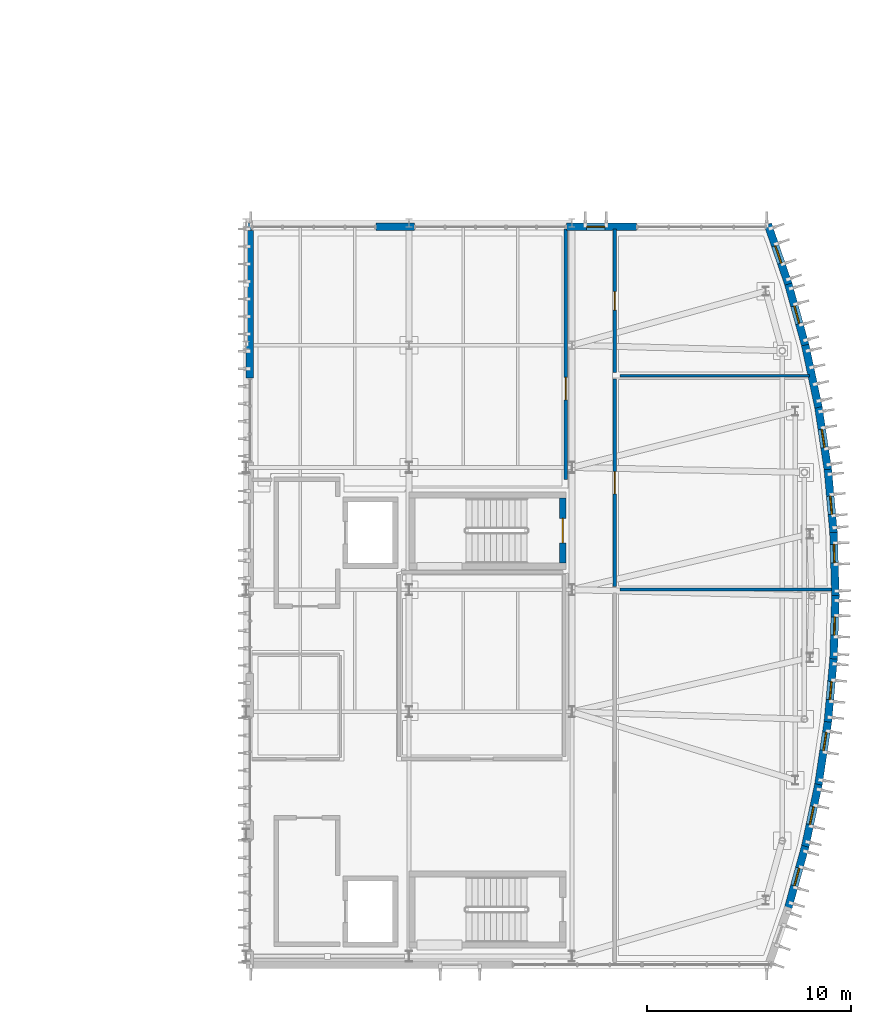
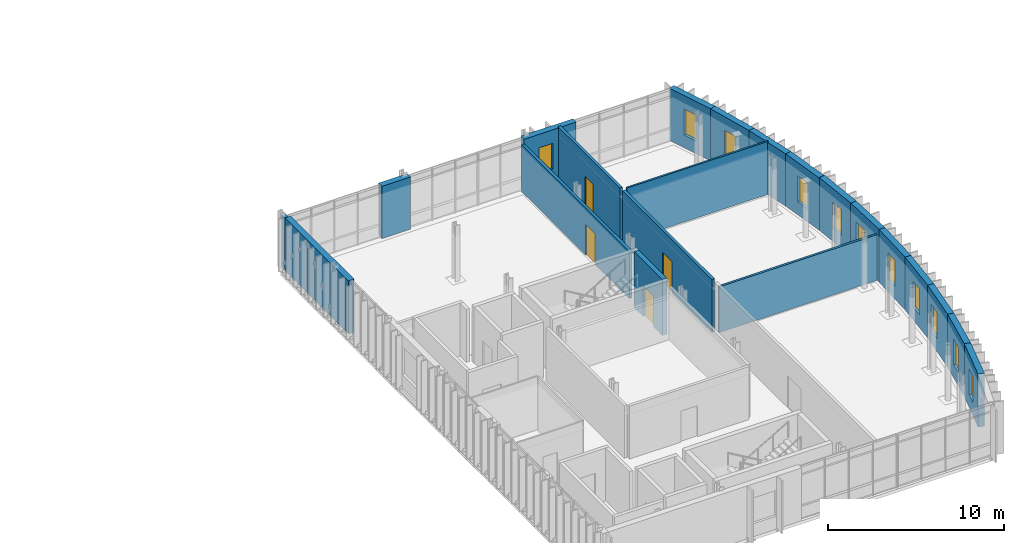
# One storey, part 29 of 43: 21 walls, 11 windows, 4 doors, 15 openings.
"""IFC4 building model written with IfcOpenShell, lengths in metres."""

from ifc_helpers import new_model, si_unit, direction, frame, frame_2d, origin, place, context, subcontext, project, spatial, rectangle, extrude, material, layer, layer_set, type_object, element, fill, save


model = new_model("IFC4")

# Units and contexts
model_context = context("Model", 3, precision=1e-05, world=origin(), true_north=direction((0.0, 1.0)))
body_context = subcontext(model_context, "Body", "Model", "MODEL_VIEW")
ifc_project = project(units=[si_unit("LENGTHUNIT", "METRE"), si_unit("AREAUNIT", "SQUARE_METRE"), si_unit("VOLUMEUNIT", "CUBIC_METRE"), si_unit("PLANEANGLEUNIT", "RADIAN"), si_unit("MASSUNIT", "GRAM", prefix="KILO")], contexts=[model_context])

# Site, building, storey
site_placement = place(None, origin())
site = spatial("IfcSite", under=ifc_project, at=site_placement, CompositionType="ELEMENT")
building_placement = place(site_placement, origin())
building = spatial("IfcBuilding", under=site, at=building_placement, Name="Cymarion Research Institute", CompositionType="ELEMENT")
storey_placement = place(building_placement, frame((0.0, 0.0, 22.800048828125)))
storey = spatial("IfcBuildingStorey", under=building, at=storey_placement, Name="L05", CompositionType="ELEMENT", Elevation=22.800048828125)

# Wall, opening, window
ifc_material_1 = material(Name="Precast concrete C40/50", Category="concrete")
ifc_layer_1 = layer(ifc_material_1, 0.3798828125)
ifc_layer_set_1 = layer_set([ifc_layer_1], Name="Precast concrete C40/50")
wall_type_1 = type_object("IfcWallType", Name="EXTERIOR WALL EW-PC380 380MM", PredefinedType="SOLIDWALL", material=ifc_layer_set_1)
wall_1_placement = place(storey_placement, frame((165.222412109375, 7.8876953125, 0.0), z_axis=(0.0, 0.0, 1.0), x_axis=(0.266536691105, 0.963824772609, 0.0)))
wall_1 = element("IfcWall", 1, at=wall_1_placement, inside=storey, type_object=wall_type_1, Name="L05 V1 exterior wall EW-PC380 #220", PredefinedType="SOLIDWALL", context=body_context, shape_type="SweptSolid", body=[
    extrude(rectangle(XDim=3.1279296875, YDim=0.3798828125, at=frame_2d((1.56396484375, 0.0))), origin(), (0.0, 0.0, 1.0), 3.679931640625),
])
opening_1_placement = place(wall_1_placement, frame((1.114013671875, 0.0, 0.89990234375)))
opening_1 = element("IfcOpeningElement", 2, at=opening_1_placement, cuts=wall_1, Name="Opening W24", PredefinedType="OPENING", context=body_context, shape_type="SweptSolid", body=[
    extrude(rectangle(XDim=0.89990234375, YDim=1.800048828125, at=frame_2d((0.449951171875, 0.89990234375))), frame((0.0, 0.199951171875, 0.0), z_axis=(0.0, -1.0, 0.0), x_axis=(1.0, 0.0, 0.0)), (0.0, 0.0, 1.0), 0.39990234375),
])
ifc_material_2 = material(Name="Thermally broken aluminium window with Low-E glazing", Category="aluminium")
window_type = type_object("IfcWindowType", Name="THERMALLY BROKEN ALUMINIUM WINDOW W24 900X1800", PartitioningType="SINGLE_PANEL", PredefinedType="WINDOW", material=ifc_material_2)
window_1_placement = place(opening_1_placement, origin())
window_1 = element("IfcWindow", 3, at=window_1_placement, inside=storey, type_object=window_type, Name="L05 V1 facade window W24 #407", OverallHeight=1.800048828125, OverallWidth=0.89990234375, PartitioningType="SINGLE_PANEL", PredefinedType="WINDOW", context=body_context, shape_type="SweptSolid", body=[
    extrude(rectangle(XDim=0.89990234375, YDim=1.800048828125, at=frame_2d((0.449951171875, 0.89990234375))), frame((0.0, 0.030029296875, 0.0), z_axis=(0.0, -1.0, 0.0), x_axis=(1.0, 0.0, 0.0)), (0.0, 0.0, 1.0), 0.06005859375),
])
fill(opening_1, window_1)

wall_2_placement = place(storey_placement, frame((166.05078125, 10.8798828125, 0.0), z_axis=(0.0, 0.0, 1.0), x_axis=(0.208287141705, 0.978067720866, 0.0)))
wall_2 = element("IfcWall", 4, at=wall_2_placement, inside=storey, type_object=wall_type_1, Name="L05 V1 exterior wall EW-PC380 #221", PredefinedType="SOLIDWALL", context=body_context, shape_type="SweptSolid", body=[
    extrude(rectangle(XDim=3.12841796875, YDim=0.3798828125, at=frame_2d((1.564208984375, 0.0))), origin(), (0.0, 0.0, 1.0), 3.679931640625),
])
opening_2_placement = place(wall_2_placement, frame((1.114013671875, 0.0, 0.89990234375)))
opening_2 = element("IfcOpeningElement", 5, at=opening_2_placement, cuts=wall_2, Name="Opening W24", PredefinedType="OPENING", context=body_context, shape_type="SweptSolid", body=[
    extrude(rectangle(XDim=0.89990234375, YDim=1.800048828125, at=frame_2d((0.449951171875, 0.89990234375))), frame((0.0, 0.199951171875, 0.0), z_axis=(0.0, -1.0, 0.0), x_axis=(1.0, 0.0, 0.0)), (0.0, 0.0, 1.0), 0.39990234375),
])
window_2_placement = place(opening_2_placement, origin())
window_2 = element("IfcWindow", 6, at=window_2_placement, inside=storey, type_object=window_type, Name="L05 V1 facade window W24 #408", OverallHeight=1.800048828125, OverallWidth=0.89990234375, PartitioningType="SINGLE_PANEL", PredefinedType="WINDOW", context=body_context, shape_type="SweptSolid", body=[
    extrude(rectangle(XDim=0.89990234375, YDim=1.800048828125, at=frame_2d((0.449951171875, 0.89990234375))), frame((0.0, 0.030029296875, 0.0), z_axis=(0.0, -1.0, 0.0), x_axis=(1.0, 0.0, 0.0)), (0.0, 0.0, 1.0), 0.06005859375),
])
fill(opening_2, window_2)

wall_3_placement = place(storey_placement, frame((166.698486328125, 13.91650390625, 0.0), z_axis=(0.0, 0.0, 1.0), x_axis=(0.149218139282, 0.988804301624, 0.0)))
wall_3 = element("IfcWall", 7, at=wall_3_placement, inside=storey, type_object=wall_type_1, Name="L05 V1 exterior wall EW-PC380 #222", PredefinedType="SOLIDWALL", context=body_context, shape_type="SweptSolid", body=[
    extrude(rectangle(XDim=3.128173828125, YDim=0.3798828125, at=frame_2d((1.56396484375, 0.0))), origin(), (0.0, 0.0, 1.0), 3.679931640625),
])
opening_3_placement = place(wall_3_placement, frame((1.7060546875, 0.0, 0.89990234375)))
opening_3 = element("IfcOpeningElement", 8, at=opening_3_placement, cuts=wall_3, Name="Opening W24", PredefinedType="OPENING", context=body_context, shape_type="SweptSolid", body=[
    extrude(rectangle(XDim=0.89990234375, YDim=1.800048828125, at=frame_2d((0.449951171875, 0.89990234375))), frame((0.0, 0.199951171875, 0.0), z_axis=(0.0, -1.0, 0.0), x_axis=(1.0, 0.0, 0.0)), (0.0, 0.0, 1.0), 0.39990234375),
])
window_3_placement = place(opening_3_placement, origin())
window_3 = element("IfcWindow", 9, at=window_3_placement, inside=storey, type_object=window_type, Name="L05 V1 facade window W24 #409", OverallHeight=1.800048828125, OverallWidth=0.89990234375, PartitioningType="SINGLE_PANEL", PredefinedType="WINDOW", context=body_context, shape_type="SweptSolid", body=[
    extrude(rectangle(XDim=0.89990234375, YDim=1.800048828125, at=frame_2d((0.449951171875, 0.89990234375))), frame((0.0, 0.030029296875, 0.0), z_axis=(0.0, -1.0, 0.0), x_axis=(1.0, 0.0, 0.0)), (0.0, 0.0, 1.0), 0.06005859375),
])
fill(opening_3, window_3)

wall_4_placement = place(storey_placement, frame((167.1630859375, 16.986572265625, 0.0), z_axis=(0.0, 0.0, 1.0), x_axis=(0.089747627339, 0.995964539222, 0.0)))
wall_4 = element("IfcWall", 10, at=wall_4_placement, inside=storey, type_object=wall_type_1, Name="L05 V1 exterior wall EW-PC380 #223", PredefinedType="SOLIDWALL", context=body_context, shape_type="SweptSolid", body=[
    extrude(rectangle(XDim=3.12841796875, YDim=0.3798828125, at=frame_2d((1.564208984375, 0.0))), origin(), (0.0, 0.0, 1.0), 3.679931640625),
])
opening_4_placement = place(wall_4_placement, frame((1.114013671875, 0.0, 0.89990234375)))
opening_4 = element("IfcOpeningElement", 11, at=opening_4_placement, cuts=wall_4, Name="Opening W24", PredefinedType="OPENING", context=body_context, shape_type="SweptSolid", body=[
    extrude(rectangle(XDim=0.89990234375, YDim=1.800048828125, at=frame_2d((0.449951171875, 0.89990234375))), frame((0.0, 0.199951171875, 0.0), z_axis=(0.0, -1.0, 0.0), x_axis=(1.0, 0.0, 0.0)), (0.0, 0.0, 1.0), 0.39990234375),
])
window_4_placement = place(opening_4_placement, origin())
window_4 = element("IfcWindow", 12, at=window_4_placement, inside=storey, type_object=window_type, Name="L05 V1 facade window W24 #410", OverallHeight=1.800048828125, OverallWidth=0.89990234375, PartitioningType="SINGLE_PANEL", PredefinedType="WINDOW", context=body_context, shape_type="SweptSolid", body=[
    extrude(rectangle(XDim=0.89990234375, YDim=1.800048828125, at=frame_2d((0.449951171875, 0.89990234375))), frame((0.0, 0.030029296875, 0.0), z_axis=(0.0, -1.0, 0.0), x_axis=(1.0, 0.0, 0.0)), (0.0, 0.0, 1.0), 0.06005859375),
])
fill(opening_4, window_4)

wall_5_placement = place(storey_placement, frame((167.44287109375, 20.078857421875, 0.0), z_axis=(0.0, 0.0, 1.0), x_axis=(0.02996779607, 0.999550864738, 0.0)))
wall_5 = element("IfcWall", 13, at=wall_5_placement, inside=storey, type_object=wall_type_1, Name="L05 V1 exterior wall EW-PC380 #224", PredefinedType="SOLIDWALL", context=body_context, shape_type="SweptSolid", body=[
    extrude(rectangle(XDim=3.12841796875, YDim=0.3798828125, at=frame_2d((1.564208984375, 0.0))), origin(), (0.0, 0.0, 1.0), 3.679931640625),
])
opening_5_placement = place(wall_5_placement, frame((1.18505859375, 0.0, 0.89990234375)))
opening_5 = element("IfcOpeningElement", 14, at=opening_5_placement, cuts=wall_5, Name="Opening W24", PredefinedType="OPENING", context=body_context, shape_type="SweptSolid", body=[
    extrude(rectangle(XDim=0.89990234375, YDim=1.800048828125, at=frame_2d((0.449951171875, 0.89990234375))), frame((0.0, 0.199951171875, 0.0), z_axis=(0.0, -1.0, 0.0), x_axis=(1.0, 0.0, 0.0)), (0.0, 0.0, 1.0), 0.39990234375),
])
window_5_placement = place(opening_5_placement, origin())
window_5 = element("IfcWindow", 15, at=window_5_placement, inside=storey, type_object=window_type, Name="L05 V1 facade window W24 #411", OverallHeight=1.800048828125, OverallWidth=0.89990234375, PartitioningType="SINGLE_PANEL", PredefinedType="WINDOW", context=body_context, shape_type="SweptSolid", body=[
    extrude(rectangle(XDim=0.89990234375, YDim=1.800048828125, at=frame_2d((0.449951171875, 0.89990234375))), frame((0.0, 0.030029296875, 0.0), z_axis=(0.0, -1.0, 0.0), x_axis=(1.0, 0.0, 0.0)), (0.0, 0.0, 1.0), 0.06005859375),
])
fill(opening_5, window_5)

wall_6_placement = place(storey_placement, frame((167.536865234375, 23.182373046875, 0.0), z_axis=(0.0, 0.0, 1.0), x_axis=(-0.029970133922, 0.999550794644, 0.0)))
wall_6 = element("IfcWall", 16, at=wall_6_placement, inside=storey, type_object=wall_type_1, Name="L05 V1 exterior wall EW-PC380 #225", PredefinedType="SOLIDWALL", context=body_context, shape_type="SweptSolid", body=[
    extrude(rectangle(XDim=3.128173828125, YDim=0.3798828125, at=frame_2d((1.56396484375, 0.0))), origin(), (0.0, 0.0, 1.0), 3.679931640625),
])
opening_6_placement = place(wall_6_placement, frame((1.637939453125, 0.0, 0.89990234375)))
opening_6 = element("IfcOpeningElement", 17, at=opening_6_placement, cuts=wall_6, Name="Opening W24", PredefinedType="OPENING", context=body_context, shape_type="SweptSolid", body=[
    extrude(rectangle(XDim=0.89990234375, YDim=1.800048828125, at=frame_2d((0.449951171875, 0.89990234375))), frame((0.0, 0.199951171875, 0.0), z_axis=(0.0, -1.0, 0.0), x_axis=(1.0, 0.0, 0.0)), (0.0, 0.0, 1.0), 0.39990234375),
])
window_6_placement = place(opening_6_placement, origin())
window_6 = element("IfcWindow", 18, at=window_6_placement, inside=storey, type_object=window_type, Name="L05 V1 facade window W24 #412", OverallHeight=1.800048828125, OverallWidth=0.89990234375, PartitioningType="SINGLE_PANEL", PredefinedType="WINDOW", context=body_context, shape_type="SweptSolid", body=[
    extrude(rectangle(XDim=0.89990234375, YDim=1.800048828125, at=frame_2d((0.449951171875, 0.89990234375))), frame((0.0, 0.030029296875, 0.0), z_axis=(0.0, -1.0, 0.0), x_axis=(1.0, 0.0, 0.0)), (0.0, 0.0, 1.0), 0.06005859375),
])
fill(opening_6, window_6)

wall_7_placement = place(storey_placement, frame((167.44482421875, 26.285888671875, 0.0), z_axis=(0.0, 0.0, 1.0), x_axis=(-0.089747627339, 0.995964539222, 0.0)))
wall_7 = element("IfcWall", 19, at=wall_7_placement, inside=storey, type_object=wall_type_1, Name="L05 V1 exterior wall EW-PC380 #226", PredefinedType="SOLIDWALL", context=body_context, shape_type="SweptSolid", body=[
    extrude(rectangle(XDim=3.12841796875, YDim=0.3798828125, at=frame_2d((1.564208984375, 0.0))), origin(), (0.0, 0.0, 1.0), 3.679931640625),
])
opening_7_placement = place(wall_7_placement, frame((0.91796875, 0.0, 0.89990234375)))
opening_7 = element("IfcOpeningElement", 20, at=opening_7_placement, cuts=wall_7, Name="Opening W24", PredefinedType="OPENING", context=body_context, shape_type="SweptSolid", body=[
    extrude(rectangle(XDim=0.89990234375, YDim=1.800048828125, at=frame_2d((0.449951171875, 0.89990234375))), frame((0.0, 0.199951171875, 0.0), z_axis=(0.0, -1.0, 0.0), x_axis=(1.0, 0.0, 0.0)), (0.0, 0.0, 1.0), 0.39990234375),
])
window_7_placement = place(opening_7_placement, origin())
window_7 = element("IfcWindow", 21, at=window_7_placement, inside=storey, type_object=window_type, Name="L05 V1 facade window W24 #413", OverallHeight=1.800048828125, OverallWidth=0.89990234375, PartitioningType="SINGLE_PANEL", PredefinedType="WINDOW", context=body_context, shape_type="SweptSolid", body=[
    extrude(rectangle(XDim=0.89990234375, YDim=1.800048828125, at=frame_2d((0.449951171875, 0.89990234375))), frame((0.0, 0.030029296875, 0.0), z_axis=(0.0, -1.0, 0.0), x_axis=(1.0, 0.0, 0.0)), (0.0, 0.0, 1.0), 0.06005859375),
])
fill(opening_7, window_7)

wall_8_placement = place(storey_placement, frame((167.167236328125, 29.37841796875, 0.0), z_axis=(0.0, 0.0, 1.0), x_axis=(-0.149305964746, 0.988791044099, 0.0)))
wall_8 = element("IfcWall", 22, at=wall_8_placement, inside=storey, type_object=wall_type_1, Name="L05 V1 exterior wall EW-PC380 #227", PredefinedType="SOLIDWALL", context=body_context, shape_type="SweptSolid", body=[
    extrude(rectangle(XDim=3.128173828125, YDim=0.3798828125, at=frame_2d((1.56396484375, 0.0))), origin(), (0.0, 0.0, 1.0), 3.639892578125),
])
opening_8_placement = place(wall_8_placement, frame((1.114013671875, 0.0, 0.89990234375)))
opening_8 = element("IfcOpeningElement", 23, at=opening_8_placement, cuts=wall_8, Name="Opening W24", PredefinedType="OPENING", context=body_context, shape_type="SweptSolid", body=[
    extrude(rectangle(XDim=0.89990234375, YDim=1.800048828125, at=frame_2d((0.449951171875, 0.89990234375))), frame((0.0, 0.199951171875, 0.0), z_axis=(0.0, -1.0, 0.0), x_axis=(1.0, 0.0, 0.0)), (0.0, 0.0, 1.0), 0.39990234375),
])
window_8_placement = place(opening_8_placement, origin())
window_8 = element("IfcWindow", 24, at=window_8_placement, inside=storey, type_object=window_type, Name="L05 V1 facade window W24 #414", OverallHeight=1.800048828125, OverallWidth=0.89990234375, PartitioningType="SINGLE_PANEL", PredefinedType="WINDOW", context=body_context, shape_type="SweptSolid", body=[
    extrude(rectangle(XDim=0.89990234375, YDim=1.800048828125, at=frame_2d((0.449951171875, 0.89990234375))), frame((0.0, 0.030029296875, 0.0), z_axis=(0.0, -1.0, 0.0), x_axis=(1.0, 0.0, 0.0)), (0.0, 0.0, 1.0), 0.06005859375),
])
fill(opening_8, window_8)

# Wall
wall_9_placement = place(storey_placement, frame((166.704833984375, 32.448486328125, 0.0), z_axis=(0.0, 0.0, 1.0), x_axis=(-0.208212486116, 0.978083616377, 0.0)))
element("IfcWall", 25, at=wall_9_placement, inside=storey, type_object=wall_type_1, Name="L05 V1 exterior wall EW-PC380 #228", PredefinedType="SOLIDWALL", context=body_context, shape_type="SweptSolid", body=[
    extrude(rectangle(XDim=3.12841796875, YDim=0.3798828125, at=frame_2d((1.564208984375, 0.0))), origin(), (0.0, 0.0, 1.0), 3.639892578125),
])

# Wall, opening, window
wall_10_placement = place(storey_placement, frame((166.059326171875, 35.485595703125, 0.0), z_axis=(0.0, 0.0, 1.0), x_axis=(-0.26649659626, 0.963835859564, 0.0)))
wall_10 = element("IfcWall", 26, at=wall_10_placement, inside=storey, type_object=wall_type_1, Name="L05 V1 exterior wall EW-PC380 #229", PredefinedType="SOLIDWALL", context=body_context, shape_type="SweptSolid", body=[
    extrude(rectangle(XDim=3.12841796875, YDim=0.3798828125, at=frame_2d((1.564208984375, 0.0))), origin(), (0.0, 0.0, 1.0), 3.639892578125),
])
opening_9_placement = place(wall_10_placement, frame((1.114013671875, 0.0, 0.89990234375)))
opening_9 = element("IfcOpeningElement", 27, at=opening_9_placement, cuts=wall_10, Name="Opening W24", PredefinedType="OPENING", context=body_context, shape_type="SweptSolid", body=[
    extrude(rectangle(XDim=0.89990234375, YDim=1.800048828125, at=frame_2d((0.449951171875, 0.89990234375))), frame((0.0, 0.199951171875, 0.0), z_axis=(0.0, -1.0, 0.0), x_axis=(1.0, 0.0, 0.0)), (0.0, 0.0, 1.0), 0.39990234375),
])
window_9_placement = place(opening_9_placement, origin())
window_9 = element("IfcWindow", 28, at=window_9_placement, inside=storey, type_object=window_type, Name="L05 V1 facade window W24 #415", OverallHeight=1.800048828125, OverallWidth=0.89990234375, PartitioningType="SINGLE_PANEL", PredefinedType="WINDOW", context=body_context, shape_type="SweptSolid", body=[
    extrude(rectangle(XDim=0.89990234375, YDim=1.800048828125, at=frame_2d((0.449951171875, 0.89990234375))), frame((0.0, 0.030029296875, 0.0), z_axis=(0.0, -1.0, 0.0), x_axis=(1.0, 0.0, 0.0)), (0.0, 0.0, 1.0), 0.06005859375),
])
fill(opening_9, window_9)

wall_11_placement = place(storey_placement, frame((165.23291015625, 38.478515625, 0.0), z_axis=(0.0, 0.0, 1.0), x_axis=(-0.323709741108, 0.946156437124, 0.0)))
wall_11 = element("IfcWall", 29, at=wall_11_placement, inside=storey, type_object=wall_type_1, Name="L05 V1 exterior wall EW-PC380 #230", PredefinedType="SOLIDWALL", context=body_context, shape_type="SweptSolid", body=[
    extrude(rectangle(XDim=3.12841796875, YDim=0.3798828125, at=frame_2d((1.564208984375, 0.0))), origin(), (0.0, 0.0, 1.0), 3.639892578125),
])
opening_10_placement = place(wall_11_placement, frame((1.114013671875, 0.0, 0.89990234375)))
opening_10 = element("IfcOpeningElement", 30, at=opening_10_placement, cuts=wall_11, Name="Opening W24", PredefinedType="OPENING", context=body_context, shape_type="SweptSolid", body=[
    extrude(rectangle(XDim=0.89990234375, YDim=1.800048828125, at=frame_2d((0.449951171875, 0.89990234375))), frame((0.0, 0.199951171875, 0.0), z_axis=(0.0, -1.0, 0.0), x_axis=(1.0, 0.0, 0.0)), (0.0, 0.0, 1.0), 0.39990234375),
])
window_10_placement = place(opening_10_placement, origin())
window_10 = element("IfcWindow", 31, at=window_10_placement, inside=storey, type_object=window_type, Name="L05 V1 facade window W24 #416", OverallHeight=1.800048828125, OverallWidth=0.89990234375, PartitioningType="SINGLE_PANEL", PredefinedType="WINDOW", context=body_context, shape_type="SweptSolid", body=[
    extrude(rectangle(XDim=0.89990234375, YDim=1.800048828125, at=frame_2d((0.449951171875, 0.89990234375))), frame((0.0, 0.030029296875, 0.0), z_axis=(0.0, -1.0, 0.0), x_axis=(1.0, 0.0, 0.0)), (0.0, 0.0, 1.0), 0.06005859375),
])
fill(opening_10, window_10)

wall_12_placement = place(storey_placement, frame((157.759765625, 41.31005859375, 0.0), z_axis=(0.0, 0.0, 1.0), x_axis=(-1.0, 0.0, 0.0)))
wall_12 = element("IfcWall", 32, at=wall_12_placement, inside=storey, type_object=wall_type_1, Name="L05 V1 facade pier wall EW-PC380 #231", PredefinedType="SOLIDWALL", context=body_context, shape_type="SweptSolid", body=[
    extrude(rectangle(XDim=3.419677734375, YDim=0.3798828125, at=frame_2d((1.7099609375, 0.0))), origin(), (0.0, 0.0, 1.0), 3.639892578125),
])
opening_11_placement = place(wall_12_placement, frame((1.5400390625, 0.0, 0.89990234375)))
opening_11 = element("IfcOpeningElement", 33, at=opening_11_placement, cuts=wall_12, Name="Opening W24", PredefinedType="OPENING", context=body_context, shape_type="SweptSolid", body=[
    extrude(rectangle(XDim=0.89990234375, YDim=1.800048828125, at=frame_2d((0.449951171875, 0.89990234375))), frame((0.0, 0.199951171875, 0.0), z_axis=(0.0, -1.0, 0.0), x_axis=(1.0, 0.0, 0.0)), (0.0, 0.0, 1.0), 0.39990234375),
])
window_11_placement = place(opening_11_placement, origin())
window_11 = element("IfcWindow", 34, at=window_11_placement, inside=storey, type_object=window_type, Name="L05 V1 facade window W24 #417", OverallHeight=1.800048828125, OverallWidth=0.89990234375, PartitioningType="SINGLE_PANEL", PredefinedType="WINDOW", context=body_context, shape_type="SweptSolid", body=[
    extrude(rectangle(XDim=0.89990234375, YDim=1.800048828125, at=frame_2d((0.449951171875, 0.89990234375))), frame((0.0, 0.030029296875, 0.0), z_axis=(0.0, -1.0, 0.0), x_axis=(1.0, 0.0, 0.0)), (0.0, 0.0, 1.0), 0.06005859375),
])
fill(opening_11, window_11)

# Walls
wall_13_placement = place(storey_placement, frame((146.860107421875, 41.31005859375, 0.0), z_axis=(0.0, 0.0, 1.0), x_axis=(-1.0, 0.0, 0.0)))
element("IfcWall", 35, at=wall_13_placement, inside=storey, type_object=wall_type_1, Name="L05 V1 facade pier wall EW-PC380 #232", PredefinedType="SOLIDWALL", context=body_context, shape_type="SweptSolid", body=[
    extrude(rectangle(XDim=1.87353515625, YDim=0.3798828125, at=frame_2d((0.936767578125, 0.0))), origin(), (0.0, 0.0, 1.0), 3.639892578125),
])
wall_14_placement = place(storey_placement, frame((138.860107421875, 41.31005859375, 0.0), z_axis=(0.0, 0.0, 1.0), x_axis=(-1.0, 0.0, 0.0)))
element("IfcWall", 36, at=wall_14_placement, inside=storey, type_object=wall_type_1, Name="L05 V1 facade pier wall EW-PC380 #233", PredefinedType="SOLIDWALL", context=body_context, shape_type="SweptSolid", body=[
    extrude(rectangle(XDim=0.260009765625, YDim=0.3798828125, at=frame_2d((0.1298828125, 0.0))), origin(), (0.0, 0.0, 1.0), 3.639892578125),
])
wall_15_placement = place(storey_placement, frame((138.7900390625, 41.137939453125, 0.0), z_axis=(0.0, 0.0, 1.0), x_axis=(0.0, -1.0, 0.0)))
element("IfcWall", 37, at=wall_15_placement, inside=storey, type_object=wall_type_1, Name="L05 V1 facade pier wall EW-PC380 #234", PredefinedType="SOLIDWALL", context=body_context, shape_type="SweptSolid", body=[
    extrude(rectangle(XDim=7.24755859375, YDim=0.3798828125, at=frame_2d((3.623779296875, 0.0))), origin(), (0.0, 0.0, 1.0), 3.679931640625),
])
ifc_material_3 = material(Name="Gypsum acoustic double-stud partition", Category="gypsum")
ifc_layer_2 = layer(ifc_material_3, 0.14990234375)
ifc_layer_set_2 = layer_set([ifc_layer_2], Name="Gypsum acoustic double-stud partition")
wall_type_2 = type_object("IfcWallType", Name="INTERIOR PARTITION IW-AC150 150MM", PredefinedType="PARTITIONING", material=ifc_layer_set_2)
wall_16_placement = place(storey_placement, frame((156.949951171875, 23.5, 0.0), z_axis=(0.0, 0.0, 1.0), x_axis=(1.0, 0.0, 0.0)))
element("IfcWall", 38, at=wall_16_placement, inside=storey, type_object=wall_type_2, Name="L05 V1 interior partition IW-AC150 #312", PredefinedType="PARTITIONING", context=body_context, shape_type="SweptSolid", body=[
    extrude(rectangle(XDim=10.46240234375, YDim=0.14990234375, at=frame_2d((5.231201171875, 0.0))), origin(), (0.0, 0.0, 1.0), 3.179931640625),
])

# Wall, opening, door
ifc_material_4 = material(Name="Moisture-resistant laboratory partition", Category="gypsum")
ifc_layer_3 = layer(ifc_material_4, 0.179931640625)
ifc_layer_set_3 = layer_set([ifc_layer_3], Name="Moisture-resistant laboratory partition")
wall_type_3 = type_object("IfcWallType", Name="INTERIOR PARTITION IW-LB180 180MM", PredefinedType="PARTITIONING", material=ifc_layer_set_3)
wall_17_placement = place(storey_placement, frame((156.699951171875, 23.659912109375, 0.0), z_axis=(0.0, 0.0, 1.0), x_axis=(0.0, 1.0, 0.0)))
wall_17 = element("IfcWall", 39, at=wall_17_placement, inside=storey, type_object=wall_type_3, Name="L05 V1 interior partition IW-LB180 #315", PredefinedType="PARTITIONING", context=body_context, shape_type="SweptSolid", body=[
    extrude(rectangle(XDim=10.18017578125, YDim=0.179931640625, at=frame_2d((5.090087890625, 0.0))), origin(), (0.0, 0.0, 1.0), 3.679931640625),
])
opening_12_placement = place(wall_17_placement, frame((4.5400390625, 0.0, 0.0)))
opening_12 = element("IfcOpeningElement", 40, at=opening_12_placement, cuts=wall_17, Name="Opening D-L05-190", PredefinedType="OPENING", context=body_context, shape_type="SweptSolid", body=[
    extrude(rectangle(XDim=1.10009765625, YDim=2.14990234375, at=frame_2d((0.550048828125, 1.074951171875))), frame((0.0, 0.099853515625, 0.0), z_axis=(0.0, -1.0, 0.0), x_axis=(1.0, 0.0, 0.0)), (0.0, 0.0, 1.0), 0.199951171875),
])
ifc_material_5 = material(Name="Flush acoustic timber/steel door assembly", Category="steel")
door_type_1 = type_object("IfcDoorType", Name="LABORATORY WIDE SINGLE DOOR DT-LB110 1100X2150", OperationType="NOTDEFINED", PredefinedType="DOOR", material=ifc_material_5)
door_1_placement = place(opening_12_placement, origin())
door_1 = element("IfcDoor", 41, at=door_1_placement, inside=storey, type_object=door_type_1, Name="L05 Prow Lab M door D-L05-190", OperationType="SINGLE_SWING_LEFT", OverallHeight=2.14990234375, OverallWidth=1.10009765625, PredefinedType="DOOR", context=body_context, shape_type="SweptSolid", body=[
    extrude(rectangle(XDim=1.10009765625, YDim=2.14990234375, at=frame_2d((0.550048828125, 1.074951171875))), frame((0.0, 0.02490234375, 0.0), z_axis=(0.0, -1.0, 0.0), x_axis=(1.0, 0.0, 0.0)), (0.0, 0.0, 1.0), 0.050048828125),
])
fill(opening_12, door_1)

wall_18_placement = place(storey_placement, frame((156.699951171875, 34.159912109375, 0.0), z_axis=(0.0, 0.0, 1.0), x_axis=(0.0, 1.0, 0.0)))
wall_18 = element("IfcWall", 42, at=wall_18_placement, inside=storey, type_object=wall_type_3, Name="L05 V1 interior partition IW-LB180 #316", PredefinedType="PARTITIONING", context=body_context, shape_type="SweptSolid", body=[
    extrude(rectangle(XDim=7.03515625, YDim=0.179931640625, at=frame_2d((3.517578125, 0.0))), origin(), (0.0, 0.0, 1.0), 3.679931640625),
])
opening_13_placement = place(wall_18_placement, frame((3.06689453125, 0.0, 0.0)))
opening_13 = element("IfcOpeningElement", 43, at=opening_13_placement, cuts=wall_18, Name="Opening D-L05-191", PredefinedType="OPENING", context=body_context, shape_type="SweptSolid", body=[
    extrude(rectangle(XDim=0.89990234375, YDim=2.10009765625, at=frame_2d((0.449951171875, 1.050048828125))), frame((0.0, 0.099853515625, 0.0), z_axis=(0.0, -1.0, 0.0), x_axis=(1.0, 0.0, 0.0)), (0.0, 0.0, 1.0), 0.199951171875),
])
door_type_2 = type_object("IfcDoorType", Name="ACCESSIBLE RESTROOM DOOR DT-WC090 900X2100", OperationType="NOTDEFINED", PredefinedType="DOOR", material=ifc_material_5)
door_2_placement = place(opening_13_placement, origin())
door_2 = element("IfcDoor", 44, at=door_2_placement, inside=storey, type_object=door_type_2, Name="L05 Accessible WC door D-L05-191", OperationType="SINGLE_SWING_RIGHT", OverallHeight=2.10009765625, OverallWidth=0.89990234375, PredefinedType="DOOR", context=body_context, shape_type="SweptSolid", body=[
    extrude(rectangle(XDim=0.89990234375, YDim=2.10009765625, at=frame_2d((0.449951171875, 1.050048828125))), frame((0.0, 0.02490234375, 0.0), z_axis=(0.0, -1.0, 0.0), x_axis=(1.0, 0.0, 0.0)), (0.0, 0.0, 1.0), 0.050048828125),
])
fill(opening_13, door_2)

wall_19_placement = place(storey_placement, frame((154.300048828125, 28.89990234375, 0.0), z_axis=(0.0, 0.0, 1.0), x_axis=(0.0, 1.0, 0.0)))
wall_19 = element("IfcWall", 45, at=wall_19_placement, inside=storey, type_object=wall_type_3, Name="L05 V1 interior partition IW-LB180 #325", PredefinedType="PARTITIONING", context=body_context, shape_type="SweptSolid", body=[
    extrude(rectangle(XDim=12.295166015625, YDim=0.179931640625, at=frame_2d((6.1474609375, 0.0))), origin(), (0.0, 0.0, 1.0), 3.2900390625),
])
opening_14_placement = place(wall_19_placement, frame((3.91796875, 0.0, 0.0)))
opening_14 = element("IfcOpeningElement", 46, at=opening_14_placement, cuts=wall_19, Name="Opening D-L05-194", PredefinedType="OPENING", context=body_context, shape_type="SweptSolid", body=[
    extrude(rectangle(XDim=1.10009765625, YDim=2.14990234375, at=frame_2d((0.550048828125, 1.074951171875))), frame((0.0, 0.099853515625, 0.0), z_axis=(0.0, -1.0, 0.0), x_axis=(1.0, 0.0, 0.0)), (0.0, 0.0, 1.0), 0.199951171875),
])
door_3_placement = place(opening_14_placement, origin())
door_3 = element("IfcDoor", 47, at=door_3_placement, inside=storey, type_object=door_type_1, Name="L05 North Genomics Lab door D-L05-194", OperationType="SINGLE_SWING_LEFT", OverallHeight=2.14990234375, OverallWidth=1.10009765625, PredefinedType="DOOR", context=body_context, shape_type="SweptSolid", body=[
    extrude(rectangle(XDim=1.10009765625, YDim=2.14990234375, at=frame_2d((0.550048828125, 1.074951171875))), frame((0.0, 0.02490234375, 0.0), z_axis=(0.0, -1.0, 0.0), x_axis=(1.0, 0.0, 0.0)), (0.0, 0.0, 1.0), 0.050048828125),
])
fill(opening_14, door_3)

# Wall
ifc_material_6 = material(Name="Service riser shaft wall", Category="gypsum")
ifc_layer_4 = layer(ifc_material_6, 0.1201171875)
ifc_layer_set_4 = layer_set([ifc_layer_4], Name="Service riser shaft wall")
wall_type_4 = type_object("IfcWallType", Name="INTERIOR PARTITION IW-SH120 120MM", PredefinedType="PARTITIONING", material=ifc_layer_set_4)
wall_20_placement = place(storey_placement, frame((156.949951171875, 34.0, 0.0), z_axis=(0.0, 0.0, 1.0), x_axis=(1.0, 0.0, 0.0)))
element("IfcWall", 48, at=wall_20_placement, inside=storey, type_object=wall_type_4, Name="L05 V1 interior partition IW-SH120 #313", PredefinedType="PARTITIONING", context=body_context, shape_type="SweptSolid", body=[
    extrude(rectangle(XDim=9.306884765625, YDim=0.1201171875, at=frame_2d((4.6533203125, 0.0))), origin(), (0.0, 0.0, 1.0), 3.679931640625),
])

# Wall, opening, door
ifc_material_7 = material(Name="Concrete C40/50", Category="concrete")
ifc_layer_5 = layer(ifc_material_7, 0.300048828125)
ifc_layer_set_5 = layer_set([ifc_layer_5], Name="Concrete C40/50")
wall_type_5 = type_object("IfcWallType", Name="REINFORCED CONCRETE CORE WALL CW-SH300 300MM", PredefinedType="SHEAR", material=ifc_layer_set_5)
wall_21_placement = place(storey_placement, frame((154.14990234375, 24.800048828125, 0.0), z_axis=(0.0, 0.0, 1.0), x_axis=(0.0, 1.0, 0.0)))
wall_21 = element("IfcWall", 49, at=wall_21_placement, inside=storey, type_object=wall_type_5, Name="L05 SHW-C2-L05 east core wall", PredefinedType="SHEAR", context=body_context, shape_type="SweptSolid", body=[
    extrude(rectangle(XDim=3.199951171875, YDim=0.300048828125, at=frame_2d((1.60009765625, 0.0))), origin(), (0.0, 0.0, 1.0), 3.89990234375),
])
opening_15_placement = place(wall_21_placement, frame((1.0, 0.0, 0.0)))
opening_15 = element("IfcOpeningElement", 50, at=opening_15_placement, cuts=wall_21, Name="Opening FD-L05-ST2", PredefinedType="OPENING", context=body_context, shape_type="SweptSolid", body=[
    extrude(rectangle(XDim=1.199951171875, YDim=2.14990234375, at=frame_2d((0.60009765625, 1.074951171875))), frame((0.0, 0.159912109375, 0.0), z_axis=(0.0, -1.0, 0.0), x_axis=(1.0, 0.0, 0.0)), (0.0, 0.0, 1.0), 0.320068359375),
])
ifc_material_8 = material(Name="Fire-rated insulated steel door assembly", Category="steel")
door_type_3 = type_object("IfcDoorType", Name="SMOKE PROOF STAIR FIRE DOOR DT-ST120 1200X2150", OperationType="NOTDEFINED", PredefinedType="DOOR", material=ifc_material_8)
door_4_placement = place(opening_15_placement, origin())
door_4 = element("IfcDoor", 51, at=door_4_placement, inside=storey, type_object=door_type_3, Name="L05 ST2 smoke-proof stair door FD-L05-ST2", OperationType="SINGLE_SWING_RIGHT", OverallHeight=2.14990234375, OverallWidth=1.199951171875, PredefinedType="DOOR", context=body_context, shape_type="SweptSolid", body=[
    extrude(rectangle(XDim=1.199951171875, YDim=2.14990234375, at=frame_2d((0.60009765625, 1.074951171875))), frame((0.0, 0.02490234375, 0.0), z_axis=(0.0, -1.0, 0.0), x_axis=(1.0, 0.0, 0.0)), (0.0, 0.0, 1.0), 0.050048828125),
])
fill(opening_15, door_4)

save(model, "model.ifc")
